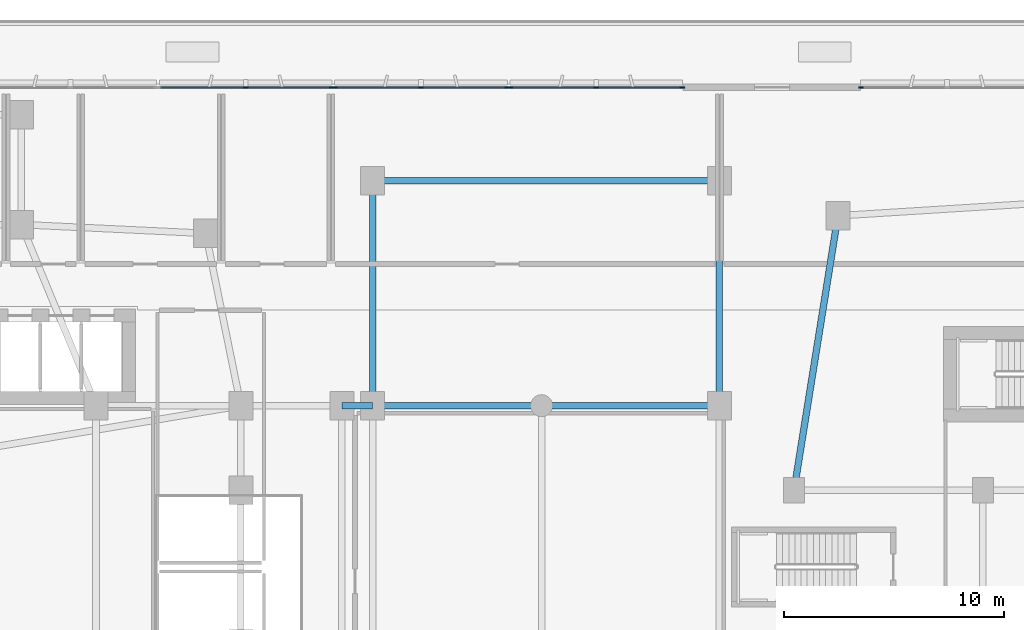
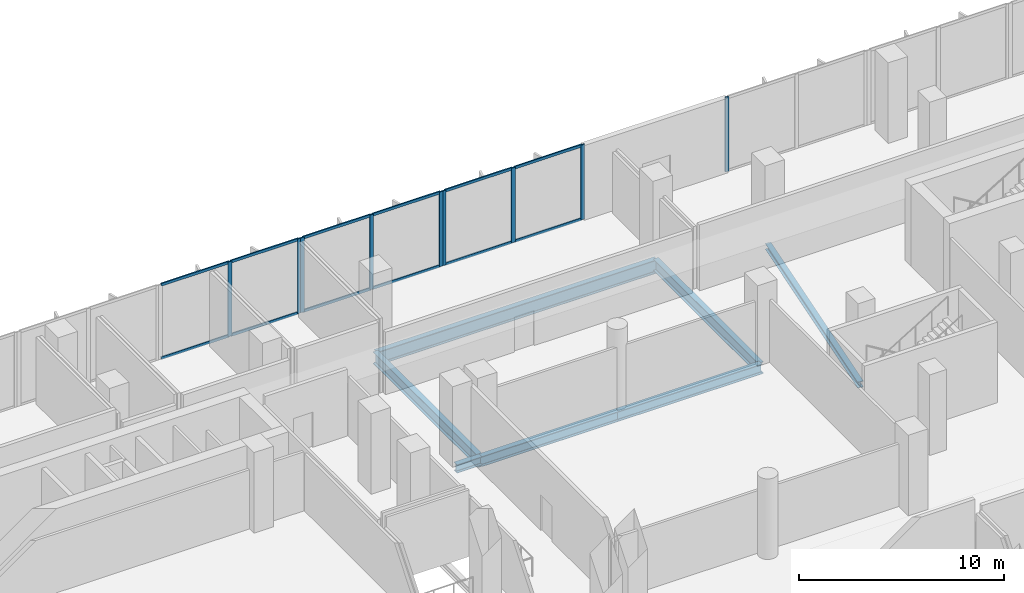
# One storey, part 6 of 30: 21 members, 7 beams, 4 elements without a shape of their own.
"""IFC4 building model written with IfcOpenShell, lengths in metres."""

from ifc_helpers import new_model, si_unit, derived_unit, direction, frame, origin, origin_2d, place, context, subcontext, project, spatial, rectangle, i_section, extrude, material, layer, layer_set, material_profile, profile_set, type_object, element, aggregate, save


model = new_model("IFC4")

# Units and contexts
model_context = context("Model", 3, precision=1e-05, world=origin(), true_north=direction((0.0, 1.0)))
body_context = subcontext(model_context, "Body", "Model", "MODEL_VIEW")
ifc_project = project(units=[si_unit("LENGTHUNIT", "METRE"), si_unit("AREAUNIT", "SQUARE_METRE"), si_unit("VOLUMEUNIT", "CUBIC_METRE"), si_unit("PLANEANGLEUNIT", "RADIAN"), si_unit("MASSUNIT", "GRAM", prefix="KILO"), derived_unit("THERMALTRANSMITTANCEUNIT", [(si_unit("POWERUNIT", "WATT"), 1), (si_unit("LENGTHUNIT", "METRE"), -2), (si_unit("THERMODYNAMICTEMPERATUREUNIT", "KELVIN"), -1)])], contexts=[model_context])

# Site, building, storey
site_placement = place(None, origin())
site = spatial("IfcSite", under=ifc_project, at=site_placement, CompositionType="ELEMENT")
building_placement = place(site_placement, origin())
building = spatial("IfcBuilding", under=site, at=building_placement, Name="Kivonza Crest Hotel", CompositionType="ELEMENT")
storey_placement = place(building_placement, frame((0.0, 0.0, 10.199951171875)))
storey = spatial("IfcBuildingStorey", under=building, at=storey_placement, Name="L02", CompositionType="ELEMENT", Elevation=10.199951171875)

# Beams
ifc_material_1 = material(Name="Steel S355", Category="steel")
ifc_material_profile_1 = material_profile(ifc_material_1, i_section(OverallWidth=0.300048828125, OverallDepth=0.360107421875, WebThickness=0.012451171875, FlangeThickness=0.0224609375, FilletRadius=0.027099609375, at=origin_2d()), Name="HEB 360")
ifc_profile_set_1 = profile_set([ifc_material_profile_1], Name="Steel S355")
beam_type_1 = type_object("IfcBeamType", Name="BM-HEB360", PredefinedType="SPANDREL", material=ifc_profile_set_1)
beam_1_placement = place(storey_placement, frame((63.0, 41.0, -0.530029296875), z_axis=(-0.157990501107, -0.987440631917, 0.0), x_axis=(0.987440631917, -0.157990501107, 0.0)))
element("IfcBeam", 1, at=beam_1_placement, inside=storey, type_object=beam_type_1, Name="Companion Tower T2 L02 perimeter spandrel NW-W2", PredefinedType="SPANDREL", context=body_context, shape_type="SweptSolid", body=[
    extrude(i_section(OverallWidth=0.300048828125, OverallDepth=0.360107421875, WebThickness=0.012451171875, FlangeThickness=0.0224609375, FilletRadius=0.027099609375, at=origin_2d()), origin(), (0.0, 0.0, 1.0), 12.658935546875),
])
ifc_material_profile_2 = material_profile(ifc_material_1, i_section(OverallWidth=0.300048828125, OverallDepth=0.5, WebThickness=0.014404296875, FlangeThickness=0.028076171875, FilletRadius=0.027099609375, at=origin_2d()), Name="HEB 500")
ifc_profile_set_2 = profile_set([ifc_material_profile_2], Name="Steel S355")
beam_type_2 = type_object("IfcBeamType", Name="BM-HEB500", PredefinedType="BEAM", material=ifc_profile_set_2)
beam_2_placement = place(storey_placement, frame((40.39990234375, 32.35009765625, -0.599853515625), z_axis=(1.0, 0.0, 0.0), x_axis=(0.0, 1.0, 0.0)))
element("IfcBeam", 2, at=beam_2_placement, inside=storey, type_object=beam_type_2, Name="L02 podium girder X 25", PredefinedType="BEAM", context=body_context, shape_type="SweptSolid", body=[
    extrude(i_section(OverallWidth=0.300048828125, OverallDepth=0.5, WebThickness=0.014404296875, FlangeThickness=0.028076171875, FilletRadius=0.027099609375, at=origin_2d()), origin(), (0.0, 0.0, 1.0), 1.400146484375),
])
ifc_material_profile_3 = material_profile(ifc_material_1, i_section(OverallWidth=0.300048828125, OverallDepth=0.60009765625, WebThickness=0.015380859375, FlangeThickness=0.030029296875, FilletRadius=0.027099609375, at=origin_2d()), Name="HEB 600")
ifc_profile_set_3 = profile_set([ifc_material_profile_3], Name="Steel S355")
beam_type_3 = type_object("IfcBeamType", Name="BM-HEB600", PredefinedType="BEAM", material=ifc_profile_set_3)
beam_3_placement = place(storey_placement, frame((41.800048828125, 32.35009765625, -0.64990234375), z_axis=(1.0, 0.0, 0.0), x_axis=(0.0, 1.0, 0.0)))
element("IfcBeam", 3, at=beam_3_placement, inside=storey, type_object=beam_type_3, Name="L02 podium girder X 26", PredefinedType="BEAM", context=body_context, shape_type="SweptSolid", body=[
    extrude(i_section(OverallWidth=0.300048828125, OverallDepth=0.60009765625, WebThickness=0.015380859375, FlangeThickness=0.030029296875, FilletRadius=0.027099609375, at=origin_2d()), origin(), (0.0, 0.0, 1.0), 7.699951171875),
])
beam_4_placement = place(storey_placement, frame((49.5, 32.35009765625, -0.64990234375), z_axis=(1.0, 0.0, 0.0), x_axis=(0.0, 1.0, 0.0)))
element("IfcBeam", 4, at=beam_4_placement, inside=storey, type_object=beam_type_3, Name="L02 podium girder X 27", PredefinedType="BEAM", context=body_context, shape_type="SweptSolid", body=[
    extrude(i_section(OverallWidth=0.300048828125, OverallDepth=0.60009765625, WebThickness=0.015380859375, FlangeThickness=0.030029296875, FilletRadius=0.027099609375, at=origin_2d()), origin(), (0.0, 0.0, 1.0), 8.10009765625),
])
ifc_material_profile_4 = material_profile(ifc_material_1, i_section(OverallWidth=0.300048828125, OverallDepth=0.699951171875, WebThickness=0.01708984375, FlangeThickness=0.031982421875, FilletRadius=0.027099609375, at=origin_2d()), Name="HEB 700")
ifc_profile_set_4 = profile_set([ifc_material_profile_4], Name="Steel S355")
beam_type_4 = type_object("IfcBeamType", Name="BM-HEB700", PredefinedType="BEAM", material=ifc_profile_set_4)
for number, where, z_axis, x_axis, name in (
    (5, (41.800048828125, 32.35009765625, -0.699951171875), (0.0, 1.0, 0.0), (-1.0, 0.0, 0.0), "L02 podium girder Y 53"),
    (6, (57.60009765625, 32.35009765625, -0.699951171875), (0.0, 1.0, 0.0), (-1.0, 0.0, 0.0), "L02 podium girder Y 57"),
):
    element("IfcBeam", number, at=place(storey_placement, frame(where, z_axis=z_axis, x_axis=x_axis)), inside=storey, type_object=beam_type_4, Name=name, PredefinedType="BEAM", context=body_context, shape_type="SweptSolid", body=[
        extrude(i_section(OverallWidth=0.300048828125, OverallDepth=0.699951171875, WebThickness=0.01708984375, FlangeThickness=0.031982421875, FilletRadius=0.027099609375, at=origin_2d()), origin(), (0.0, 0.0, 1.0), 10.25),
    ])
ifc_material_profile_5 = material_profile(ifc_material_1, i_section(OverallWidth=0.300048828125, OverallDepth=0.800048828125, WebThickness=0.017578125, FlangeThickness=0.032958984375, FilletRadius=0.030029296875, at=origin_2d()), Name="HEB 800")
ifc_profile_set_5 = profile_set([ifc_material_profile_5], Name="Steel S355")
beam_type_5 = type_object("IfcBeamType", Name="BM-HEB800", PredefinedType="BEAM", material=ifc_profile_set_5)
beam_5_placement = place(storey_placement, frame((41.800048828125, 42.60009765625, -0.75), z_axis=(1.0, 0.0, 0.0), x_axis=(0.0, 1.0, 0.0)))
element("IfcBeam", 7, at=beam_5_placement, inside=storey, type_object=beam_type_5, Name="L02 podium girder X 30", PredefinedType="BEAM", context=body_context, shape_type="SweptSolid", body=[
    extrude(i_section(OverallWidth=0.300048828125, OverallDepth=0.800048828125, WebThickness=0.017578125, FlangeThickness=0.032958984375, FilletRadius=0.030029296875, at=origin_2d()), origin(), (0.0, 0.0, 1.0), 15.800048828125),
])

# Curtain wall, member
ifc_material_2 = material(Name="Anodised bronze aluminium and low-E double glazing", Category="aluminium")
ifc_layer = layer(ifc_material_2, 0.219970703125)
ifc_layer_set = layer_set([ifc_layer], Name="Anodised bronze aluminium and low-E double glazing")
curtain_wall_type = type_object("IfcCurtainWallType", Name="CW-SYS-1", PredefinedType="NOTDEFINED", material=ifc_layer_set)
curtain_wall_1_placement = place(storey_placement, origin())
curtain_wall_1 = element("IfcCurtainWall", 8, at=curtain_wall_1_placement, inside=storey, type_object=curtain_wall_type, Name="L02 unitised curtain wall CW-POD-L02-21", PredefinedType="NOTDEFINED")
ifc_material_3 = material(Name="Anodised bronze aluminium", Category="aluminium")
ifc_material_profile_6 = material_profile(ifc_material_3, rectangle(XDim=0.074951171875, YDim=0.219970703125, at=origin_2d()), Name="CW-M 75x220")
ifc_profile_set_6 = profile_set([ifc_material_profile_6], Name="Anodised bronze aluminium")
member_type_1 = type_object("IfcMemberType", Name="CW-MUL-75x220", PredefinedType="MULLION", material=ifc_profile_set_6)
member_1_placement = place(storey_placement, frame((64.050537109375, 46.840087890625, 0.0), z_axis=(0.0, 0.0, 1.0), x_axis=(0.0, -1.0, 0.0)))
member_1 = element("IfcMember", 9, at=member_1_placement, type_object=member_type_1, Name="CW-1 mullion 3", PredefinedType="MULLION", context=body_context, shape_type="SweptSolid", body=[
    extrude(rectangle(XDim=0.074951171875, YDim=0.219970703125, at=origin_2d()), origin(), (0.0, 0.0, 1.0), 4.449951171875),
])
aggregate(curtain_wall_1, [member_1])

# Curtain wall, members
curtain_wall_2_placement = place(storey_placement, origin())
curtain_wall_2 = element("IfcCurtainWall", 10, at=curtain_wall_2_placement, inside=storey, type_object=curtain_wall_type, Name="L02 unitised curtain wall CW-POD-L02-23", PredefinedType="NOTDEFINED")
member_2_placement = place(storey_placement, frame((55.909423828125, 46.840087890625, 0.0), z_axis=(0.0, 0.0, 1.0), x_axis=(0.0, -1.0, 0.0)))
member_2 = element("IfcMember", 11, at=member_2_placement, type_object=member_type_1, Name="CW-1 mullion 1", PredefinedType="MULLION", context=body_context, shape_type="SweptSolid", body=[
    extrude(rectangle(XDim=0.074951171875, YDim=0.219970703125, at=origin_2d()), origin(), (0.0, 0.0, 1.0), 4.449951171875),
])
member_3_placement = place(storey_placement, frame((51.993408203125, 46.840087890625, 0.0), z_axis=(0.0, 0.0, 1.0), x_axis=(0.0, -1.0, 0.0)))
member_3 = element("IfcMember", 12, at=member_3_placement, type_object=member_type_1, Name="CW-1 mullion 2", PredefinedType="MULLION", context=body_context, shape_type="SweptSolid", body=[
    extrude(rectangle(XDim=0.074951171875, YDim=0.219970703125, at=origin_2d()), origin(), (0.0, 0.0, 1.0), 4.449951171875),
])
member_4_placement = place(storey_placement, frame((48.077392578125, 46.840087890625, 0.0), z_axis=(0.0, 0.0, 1.0), x_axis=(0.0, -1.0, 0.0)))
member_4 = element("IfcMember", 13, at=member_4_placement, type_object=member_type_1, Name="CW-1 mullion 3", PredefinedType="MULLION", context=body_context, shape_type="SweptSolid", body=[
    extrude(rectangle(XDim=0.074951171875, YDim=0.219970703125, at=origin_2d()), origin(), (0.0, 0.0, 1.0), 4.449951171875),
])

curtain_wall_3_placement = place(storey_placement, origin())
curtain_wall_3 = element("IfcCurtainWall", 14, at=curtain_wall_3_placement, inside=storey, type_object=curtain_wall_type, Name="L02 unitised curtain wall CW-POD-L02-24", PredefinedType="NOTDEFINED")
member_5_placement = place(storey_placement, frame((47.922607421875, 46.840087890625, 0.0), z_axis=(0.0, 0.0, 1.0), x_axis=(0.0, -1.0, 0.0)))
member_5 = element("IfcMember", 15, at=member_5_placement, type_object=member_type_1, Name="CW-1 mullion 1", PredefinedType="MULLION", context=body_context, shape_type="SweptSolid", body=[
    extrude(rectangle(XDim=0.074951171875, YDim=0.219970703125, at=origin_2d()), origin(), (0.0, 0.0, 1.0), 4.449951171875),
])
member_6_placement = place(storey_placement, frame((44.006591796875, 46.840087890625, 0.0), z_axis=(0.0, 0.0, 1.0), x_axis=(0.0, -1.0, 0.0)))
member_6 = element("IfcMember", 16, at=member_6_placement, type_object=member_type_1, Name="CW-1 mullion 2", PredefinedType="MULLION", context=body_context, shape_type="SweptSolid", body=[
    extrude(rectangle(XDim=0.074951171875, YDim=0.219970703125, at=origin_2d()), origin(), (0.0, 0.0, 1.0), 4.449951171875),
])
member_7_placement = place(storey_placement, frame((40.090576171875, 46.840087890625, 0.0), z_axis=(0.0, 0.0, 1.0), x_axis=(0.0, -1.0, 0.0)))
member_7 = element("IfcMember", 17, at=member_7_placement, type_object=member_type_1, Name="CW-1 mullion 3", PredefinedType="MULLION", context=body_context, shape_type="SweptSolid", body=[
    extrude(rectangle(XDim=0.074951171875, YDim=0.219970703125, at=origin_2d()), origin(), (0.0, 0.0, 1.0), 4.449951171875),
])

curtain_wall_4_placement = place(storey_placement, origin())
curtain_wall_4 = element("IfcCurtainWall", 18, at=curtain_wall_4_placement, inside=storey, type_object=curtain_wall_type, Name="L02 unitised curtain wall CW-POD-L02-25", PredefinedType="NOTDEFINED")
member_8_placement = place(storey_placement, frame((39.935546875, 46.840087890625, 0.0), z_axis=(0.0, 0.0, 1.0), x_axis=(0.0, -1.0, 0.0)))
member_8 = element("IfcMember", 19, at=member_8_placement, type_object=member_type_1, Name="CW-1 mullion 1", PredefinedType="MULLION", context=body_context, shape_type="SweptSolid", body=[
    extrude(rectangle(XDim=0.074951171875, YDim=0.219970703125, at=origin_2d()), origin(), (0.0, 0.0, 1.0), 4.449951171875),
])
member_9_placement = place(storey_placement, frame((36.02001953125, 46.840087890625, 0.0), z_axis=(0.0, 0.0, 1.0), x_axis=(0.0, -1.0, 0.0)))
member_9 = element("IfcMember", 20, at=member_9_placement, type_object=member_type_1, Name="CW-1 mullion 2", PredefinedType="MULLION", context=body_context, shape_type="SweptSolid", body=[
    extrude(rectangle(XDim=0.074951171875, YDim=0.219970703125, at=origin_2d()), origin(), (0.0, 0.0, 1.0), 4.449951171875),
])

# Member
ifc_material_profile_7 = material_profile(ifc_material_3, rectangle(XDim=0.074951171875, YDim=0.159912109375, at=origin_2d()), Name="CW-T 75x160")
ifc_profile_set_7 = profile_set([ifc_material_profile_7], Name="Anodised bronze aluminium")
member_type_2 = type_object("IfcMemberType", Name="CW-TRN-75x160", PredefinedType="USERDEFINED", material=ifc_profile_set_7)
member_10_placement = place(storey_placement, frame((55.8720703125, 46.840087890625, 0.03759765625), z_axis=(-1.0, 0.0, 0.0), x_axis=(0.0, -1.0, 0.0)))
member_10 = element("IfcMember", 21, at=member_10_placement, type_object=member_type_2, Name="CW-1 transom 1.1", ObjectType="TRANSOM", PredefinedType="USERDEFINED", context=body_context, shape_type="SweptSolid", body=[
    extrude(rectangle(XDim=0.074951171875, YDim=0.159912109375, at=origin_2d()), origin(), (0.0, 0.0, 1.0), 3.841064453125),
])

member_11_placement = place(storey_placement, frame((55.8720703125, 46.840087890625, 4.41259765625), z_axis=(-1.0, 0.0, 0.0), x_axis=(0.0, -1.0, 0.0)))
member_11 = element("IfcMember", 22, at=member_11_placement, type_object=member_type_2, Name="CW-1 transom 1.2", ObjectType="TRANSOM", PredefinedType="USERDEFINED", context=body_context, shape_type="SweptSolid", body=[
    extrude(rectangle(XDim=0.074951171875, YDim=0.159912109375, at=origin_2d()), origin(), (0.0, 0.0, 1.0), 3.841064453125),
])

member_12_placement = place(storey_placement, frame((51.9560546875, 46.840087890625, 0.03759765625), z_axis=(-1.0, 0.0, 0.0), x_axis=(0.0, -1.0, 0.0)))
member_12 = element("IfcMember", 23, at=member_12_placement, type_object=member_type_2, Name="CW-1 transom 2.1", ObjectType="TRANSOM", PredefinedType="USERDEFINED", context=body_context, shape_type="SweptSolid", body=[
    extrude(rectangle(XDim=0.074951171875, YDim=0.159912109375, at=origin_2d()), origin(), (0.0, 0.0, 1.0), 3.841064453125),
])

member_13_placement = place(storey_placement, frame((51.9560546875, 46.840087890625, 4.41259765625), z_axis=(-1.0, 0.0, 0.0), x_axis=(0.0, -1.0, 0.0)))
member_13 = element("IfcMember", 24, at=member_13_placement, type_object=member_type_2, Name="CW-1 transom 2.2", ObjectType="TRANSOM", PredefinedType="USERDEFINED", context=body_context, shape_type="SweptSolid", body=[
    extrude(rectangle(XDim=0.074951171875, YDim=0.159912109375, at=origin_2d()), origin(), (0.0, 0.0, 1.0), 3.841064453125),
])

aggregate(curtain_wall_2, [member_2, member_3, member_4, member_10, member_11, member_12, member_13])

member_14_placement = place(storey_placement, frame((47.885009765625, 46.840087890625, 0.03759765625), z_axis=(-1.0, 0.0, 0.0), x_axis=(0.0, -1.0, 0.0)))
member_14 = element("IfcMember", 25, at=member_14_placement, type_object=member_type_2, Name="CW-1 transom 1.1", ObjectType="TRANSOM", PredefinedType="USERDEFINED", context=body_context, shape_type="SweptSolid", body=[
    extrude(rectangle(XDim=0.074951171875, YDim=0.159912109375, at=origin_2d()), origin(), (0.0, 0.0, 1.0), 3.841064453125),
])

member_15_placement = place(storey_placement, frame((47.885009765625, 46.840087890625, 4.41259765625), z_axis=(-1.0, 0.0, 0.0), x_axis=(0.0, -1.0, 0.0)))
member_15 = element("IfcMember", 26, at=member_15_placement, type_object=member_type_2, Name="CW-1 transom 1.2", ObjectType="TRANSOM", PredefinedType="USERDEFINED", context=body_context, shape_type="SweptSolid", body=[
    extrude(rectangle(XDim=0.074951171875, YDim=0.159912109375, at=origin_2d()), origin(), (0.0, 0.0, 1.0), 3.841064453125),
])

member_16_placement = place(storey_placement, frame((43.968994140625, 46.840087890625, 0.03759765625), z_axis=(-1.0, 0.0, 0.0), x_axis=(0.0, -1.0, 0.0)))
member_16 = element("IfcMember", 27, at=member_16_placement, type_object=member_type_2, Name="CW-1 transom 2.1", ObjectType="TRANSOM", PredefinedType="USERDEFINED", context=body_context, shape_type="SweptSolid", body=[
    extrude(rectangle(XDim=0.074951171875, YDim=0.159912109375, at=origin_2d()), origin(), (0.0, 0.0, 1.0), 3.841064453125),
])

member_17_placement = place(storey_placement, frame((43.968994140625, 46.840087890625, 4.41259765625), z_axis=(-1.0, 0.0, 0.0), x_axis=(0.0, -1.0, 0.0)))
member_17 = element("IfcMember", 28, at=member_17_placement, type_object=member_type_2, Name="CW-1 transom 2.2", ObjectType="TRANSOM", PredefinedType="USERDEFINED", context=body_context, shape_type="SweptSolid", body=[
    extrude(rectangle(XDim=0.074951171875, YDim=0.159912109375, at=origin_2d()), origin(), (0.0, 0.0, 1.0), 3.841064453125),
])

aggregate(curtain_wall_3, [member_5, member_6, member_7, member_14, member_15, member_16, member_17])

member_18_placement = place(storey_placement, frame((39.89794921875, 46.840087890625, 0.03759765625), z_axis=(-1.0, 0.0, 0.0), x_axis=(0.0, -1.0, 0.0)))
member_18 = element("IfcMember", 29, at=member_18_placement, type_object=member_type_2, Name="CW-1 transom 1.1", ObjectType="TRANSOM", PredefinedType="USERDEFINED", context=body_context, shape_type="SweptSolid", body=[
    extrude(rectangle(XDim=0.074951171875, YDim=0.159912109375, at=origin_2d()), origin(), (0.0, 0.0, 1.0), 3.84033203125),
])

member_19_placement = place(storey_placement, frame((39.89794921875, 46.840087890625, 4.41259765625), z_axis=(-1.0, 0.0, 0.0), x_axis=(0.0, -1.0, 0.0)))
member_19 = element("IfcMember", 30, at=member_19_placement, type_object=member_type_2, Name="CW-1 transom 1.2", ObjectType="TRANSOM", PredefinedType="USERDEFINED", context=body_context, shape_type="SweptSolid", body=[
    extrude(rectangle(XDim=0.074951171875, YDim=0.159912109375, at=origin_2d()), origin(), (0.0, 0.0, 1.0), 3.84033203125),
])

member_20_placement = place(storey_placement, frame((35.982421875, 46.840087890625, 0.03759765625), z_axis=(-1.0, 0.0, 0.0), x_axis=(0.0, -1.0, 0.0)))
member_20 = element("IfcMember", 31, at=member_20_placement, type_object=member_type_2, Name="CW-1 transom 2.1", ObjectType="TRANSOM", PredefinedType="USERDEFINED", context=body_context, shape_type="SweptSolid", body=[
    extrude(rectangle(XDim=0.074951171875, YDim=0.159912109375, at=origin_2d()), origin(), (0.0, 0.0, 1.0), 3.84033203125),
])

member_21_placement = place(storey_placement, frame((35.982421875, 46.840087890625, 4.41259765625), z_axis=(-1.0, 0.0, 0.0), x_axis=(0.0, -1.0, 0.0)))
member_21 = element("IfcMember", 32, at=member_21_placement, type_object=member_type_2, Name="CW-1 transom 2.2", ObjectType="TRANSOM", PredefinedType="USERDEFINED", context=body_context, shape_type="SweptSolid", body=[
    extrude(rectangle(XDim=0.074951171875, YDim=0.159912109375, at=origin_2d()), origin(), (0.0, 0.0, 1.0), 3.84033203125),
])

aggregate(curtain_wall_4, [member_8, member_9, member_18, member_19, member_20, member_21])

save(model, "model.ifc")
